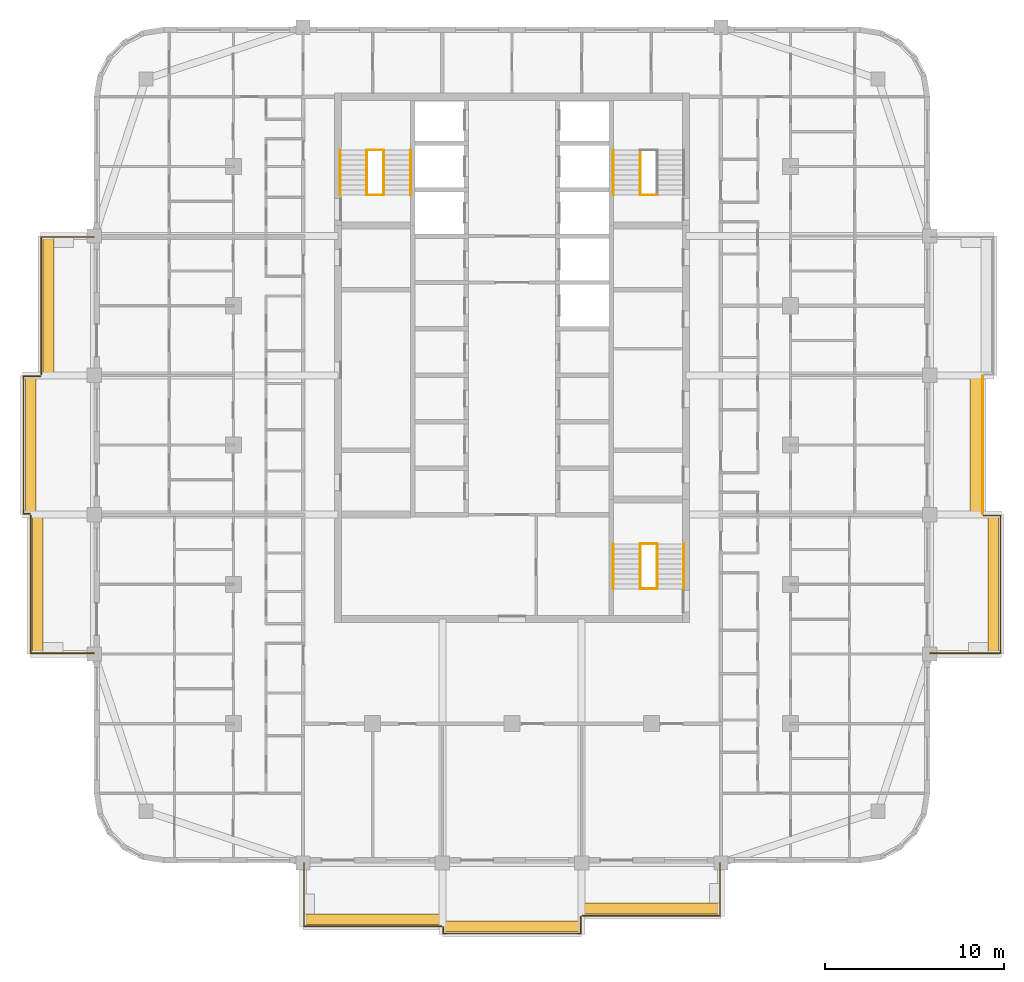
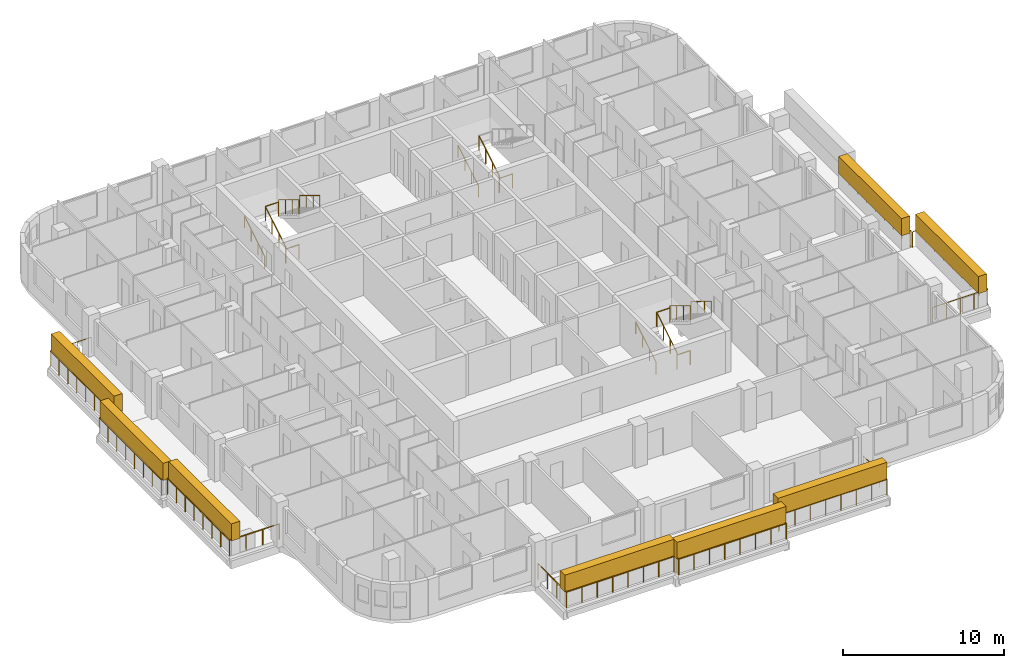
# One storey, part 15 of 16: 23 railings, 8 coverings, 3 elements without a shape of their own.
"""IFC4 building model written with IfcOpenShell, lengths in metres."""

from ifc_helpers import new_model, si_unit, direction, frame, origin, origin_2d, place, context, subcontext, project, spatial, rectangle, circle, extrude, material, layer, layer_set, type_object, element, aggregate, save


model = new_model("IFC4")

# Units and contexts
model_context = context("Model", 3, precision=1e-05, world=origin(), true_north=direction((0.0, 1.0)))
body_context = subcontext(model_context, "Body", "Model", "MODEL_VIEW")
ifc_project = project(units=[si_unit("LENGTHUNIT", "METRE"), si_unit("AREAUNIT", "SQUARE_METRE"), si_unit("VOLUMEUNIT", "CUBIC_METRE"), si_unit("PLANEANGLEUNIT", "RADIAN"), si_unit("MASSUNIT", "GRAM", prefix="KILO")], contexts=[model_context])

# Site, building, storey
site_placement = place(None, origin())
site = spatial("IfcSite", under=ifc_project, at=site_placement, CompositionType="ELEMENT")
building_placement = place(site_placement, origin())
building = spatial("IfcBuilding", under=site, at=building_placement, Name="Ludao Terraces", CompositionType="ELEMENT")
storey_placement = place(building_placement, frame((0.0, 0.0, 204.10009765625)))
storey = spatial("IfcBuildingStorey", under=building, at=storey_placement, Name="L55", CompositionType="ELEMENT", Elevation=204.10009765625)

# Railings
ifc_material_1 = material(Name="Stainless steel 304", Category="steel")
railing_type_1 = type_object("IfcRailingType", Name="ENV Balcony glass guard 1200", PredefinedType="GUARDRAIL", material=ifc_material_1)
railing_1_placement = place(storey_placement, frame((73.35009765625, 41.60009765625, 0.0)))
element("IfcRailing", 1, at=railing_1_placement, inside=storey, type_object=railing_type_1, Name="Balcony guard L55 S1", PredefinedType="GUARDRAIL", context=body_context, shape_type="SweptSolid", body=[
    extrude(circle(Radius=0.02392578125, at=origin_2d()), frame((0.0, 0.0, 1.17578125), z_axis=(0.0, -1.0, 0.0), x_axis=(1.0, 0.0, 0.0)), (0.0, 0.0, 1.0), 3.550048828125),
    extrude(circle(Radius=0.02392578125, at=origin_2d()), frame((0.0, -3.550048828125, 1.17578125), z_axis=(1.0, 0.0, 0.0), x_axis=(0.0, 1.0, 0.0)), (0.0, 0.0, 1.0), 7.699951171875),
    extrude(circle(Radius=0.02099609375, at=origin_2d()), origin(), (0.0, 0.0, 1.0), 1.15185546875),
    extrude(circle(Radius=0.02099609375, at=origin_2d()), frame((0.0, -1.183349609375, 0.0)), (0.0, 0.0, 1.0), 1.15185546875),
    extrude(circle(Radius=0.02099609375, at=origin_2d()), frame((0.0, -2.36669921875, 0.0)), (0.0, 0.0, 1.0), 1.15185546875),
    extrude(circle(Radius=0.02099609375, at=origin_2d()), frame((0.0, -3.550048828125, 0.0)), (0.0, 0.0, 1.0), 1.15185546875),
    extrude(circle(Radius=0.02099609375, at=origin_2d()), frame((1.10009765625, -3.550048828125, 0.0)), (0.0, 0.0, 1.0), 1.15185546875),
    extrude(circle(Radius=0.02099609375, at=origin_2d()), frame((2.199951171875, -3.550048828125, 0.0)), (0.0, 0.0, 1.0), 1.15185546875),
    extrude(circle(Radius=0.02099609375, at=origin_2d()), frame((3.300048828125, -3.550048828125, 0.0)), (0.0, 0.0, 1.0), 1.15185546875),
    extrude(circle(Radius=0.02099609375, at=origin_2d()), frame((4.39990234375, -3.550048828125, 0.0)), (0.0, 0.0, 1.0), 1.15185546875),
    extrude(circle(Radius=0.02099609375, at=origin_2d()), frame((5.5, -3.550048828125, 0.0)), (0.0, 0.0, 1.0), 1.15185546875),
    extrude(circle(Radius=0.02099609375, at=origin_2d()), frame((6.599853515625, -3.550048828125, 0.0)), (0.0, 0.0, 1.0), 1.15185546875),
    extrude(circle(Radius=0.02099609375, at=origin_2d()), frame((7.699951171875, -3.550048828125, 0.0)), (0.0, 0.0, 1.0), 1.15185546875),
])
railing_2_placement = place(storey_placement, frame((81.14990234375, 38.0, 0.0)))
element("IfcRailing", 2, at=railing_2_placement, inside=storey, type_object=railing_type_1, Name="Balcony guard L55 S2", PredefinedType="GUARDRAIL", context=body_context, shape_type="SweptSolid", body=[
    extrude(circle(Radius=0.02392578125, at=origin_2d()), frame((0.0, 0.0, 1.17578125), z_axis=(0.0, -1.0, 0.0), x_axis=(1.0, 0.0, 0.0)), (0.0, 0.0, 1.0), 0.35009765625),
    extrude(circle(Radius=0.02392578125, at=origin_2d()), frame((0.0, -0.35009765625, 1.17578125), z_axis=(1.0, 0.0, 0.0), x_axis=(0.0, 1.0, 0.0)), (0.0, 0.0, 1.0), 7.7001953125),
    extrude(circle(Radius=0.02392578125, at=origin_2d()), frame((7.7001953125, -0.35009765625, 1.17578125), z_axis=(0.0, 1.0, 0.0), x_axis=(-1.0, 0.0, 0.0)), (0.0, 0.0, 1.0), 0.9501953125),
    extrude(circle(Radius=0.02099609375, at=origin_2d()), origin(), (0.0, 0.0, 1.0), 1.15185546875),
    extrude(circle(Radius=0.02099609375, at=origin_2d()), frame((0.0, -0.35009765625, 0.0)), (0.0, 0.0, 1.0), 1.15185546875),
    extrude(circle(Radius=0.02099609375, at=origin_2d()), frame((1.10009765625, -0.35009765625, 0.0)), (0.0, 0.0, 1.0), 1.15185546875),
    extrude(circle(Radius=0.02099609375, at=origin_2d()), frame((2.199951171875, -0.35009765625, 0.0)), (0.0, 0.0, 1.0), 1.15185546875),
    extrude(circle(Radius=0.02099609375, at=origin_2d()), frame((3.300048828125, -0.35009765625, 0.0)), (0.0, 0.0, 1.0), 1.15185546875),
    extrude(circle(Radius=0.02099609375, at=origin_2d()), frame((4.400146484375, -0.35009765625, 0.0)), (0.0, 0.0, 1.0), 1.15185546875),
    extrude(circle(Radius=0.02099609375, at=origin_2d()), frame((5.500244140625, -0.35009765625, 0.0)), (0.0, 0.0, 1.0), 1.15185546875),
    extrude(circle(Radius=0.02099609375, at=origin_2d()), frame((6.60009765625, -0.35009765625, 0.0)), (0.0, 0.0, 1.0), 1.15185546875),
    extrude(circle(Radius=0.02099609375, at=origin_2d()), frame((7.7001953125, -0.35009765625, 0.0)), (0.0, 0.0, 1.0), 1.15185546875),
    extrude(circle(Radius=0.02099609375, at=origin_2d()), frame((7.7001953125, 0.60009765625, 0.0)), (0.0, 0.0, 1.0), 1.15185546875),
])
railing_3_placement = place(storey_placement, frame((88.949951171875, 38.64990234375, 0.0)))
element("IfcRailing", 3, at=railing_3_placement, inside=storey, type_object=railing_type_1, Name="Balcony guard L55 S3", PredefinedType="GUARDRAIL", context=body_context, shape_type="SweptSolid", body=[
    extrude(circle(Radius=0.02392578125, at=origin_2d()), frame((0.0, 0.0, 1.17578125), z_axis=(1.0, 0.0, 0.0), x_axis=(0.0, 1.0, 0.0)), (0.0, 0.0, 1.0), 7.699951171875),
    extrude(circle(Radius=0.02392578125, at=origin_2d()), frame((7.699951171875, 0.0, 1.17578125), z_axis=(0.0, 1.0, 0.0), x_axis=(-1.0, 0.0, 0.0)), (0.0, 0.0, 1.0), 2.9501953125),
    extrude(circle(Radius=0.02099609375, at=origin_2d()), origin(), (0.0, 0.0, 1.0), 1.15185546875),
    extrude(circle(Radius=0.02099609375, at=origin_2d()), frame((1.10009765625, 0.0, 0.0)), (0.0, 0.0, 1.0), 1.15185546875),
    extrude(circle(Radius=0.02099609375, at=origin_2d()), frame((2.199951171875, 0.0, 0.0)), (0.0, 0.0, 1.0), 1.15185546875),
    extrude(circle(Radius=0.02099609375, at=origin_2d()), frame((3.300048828125, 0.0, 0.0)), (0.0, 0.0, 1.0), 1.15185546875),
    extrude(circle(Radius=0.02099609375, at=origin_2d()), frame((4.39990234375, 0.0, 0.0)), (0.0, 0.0, 1.0), 1.15185546875),
    extrude(circle(Radius=0.02099609375, at=origin_2d()), frame((5.5, 0.0, 0.0)), (0.0, 0.0, 1.0), 1.15185546875),
    extrude(circle(Radius=0.02099609375, at=origin_2d()), frame((6.599853515625, 0.0, 0.0)), (0.0, 0.0, 1.0), 1.15185546875),
    extrude(circle(Radius=0.02099609375, at=origin_2d()), frame((7.699951171875, 0.0, 0.0)), (0.0, 0.0, 1.0), 1.15185546875),
    extrude(circle(Radius=0.02099609375, at=origin_2d()), frame((7.699951171875, 0.9833984375, 0.0)), (0.0, 0.0, 1.0), 1.15185546875),
    extrude(circle(Radius=0.02099609375, at=origin_2d()), frame((7.699951171875, 1.966796875, 0.0)), (0.0, 0.0, 1.0), 1.15185546875),
    extrude(circle(Radius=0.02099609375, at=origin_2d()), frame((7.699951171875, 2.9501953125, 0.0)), (0.0, 0.0, 1.0), 1.15185546875),
])
railing_4_placement = place(storey_placement, frame((108.39990234375, 53.35009765625, 0.0)))
element("IfcRailing", 4, at=railing_4_placement, inside=storey, type_object=railing_type_1, Name="Balcony guard L55 E1", PredefinedType="GUARDRAIL", context=body_context, shape_type="SweptSolid", body=[
    extrude(circle(Radius=0.02392578125, at=origin_2d()), frame((0.0, 0.0, 1.17578125), z_axis=(1.0, 0.0, 0.0), x_axis=(0.0, 1.0, 0.0)), (0.0, 0.0, 1.0), 3.9501953125),
    extrude(circle(Radius=0.02392578125, at=origin_2d()), frame((3.9501953125, 0.0, 1.17578125), z_axis=(0.0, 1.0, 0.0), x_axis=(-1.0, 0.0, 0.0)), (0.0, 0.0, 1.0), 7.699951171875),
    extrude(circle(Radius=0.02392578125, at=origin_2d()), frame((3.9501953125, 7.699951171875, 1.17578125), z_axis=(-1.0, 0.0, 0.0), x_axis=(0.0, -1.0, 0.0)), (0.0, 0.0, 1.0), 0.9501953125),
    extrude(circle(Radius=0.02099609375, at=origin_2d()), origin(), (0.0, 0.0, 1.0), 1.15185546875),
    extrude(circle(Radius=0.02099609375, at=origin_2d()), frame((0.987548828125, 0.0, 0.0)), (0.0, 0.0, 1.0), 1.15185546875),
    extrude(circle(Radius=0.02099609375, at=origin_2d()), frame((1.97509765625, 0.0, 0.0)), (0.0, 0.0, 1.0), 1.15185546875),
    extrude(circle(Radius=0.02099609375, at=origin_2d()), frame((2.962646484375, 0.0, 0.0)), (0.0, 0.0, 1.0), 1.15185546875),
    extrude(circle(Radius=0.02099609375, at=origin_2d()), frame((3.9501953125, 0.0, 0.0)), (0.0, 0.0, 1.0), 1.15185546875),
    extrude(circle(Radius=0.02099609375, at=origin_2d()), frame((3.9501953125, 1.10009765625, 0.0)), (0.0, 0.0, 1.0), 1.15185546875),
    extrude(circle(Radius=0.02099609375, at=origin_2d()), frame((3.9501953125, 2.199951171875, 0.0)), (0.0, 0.0, 1.0), 1.15185546875),
    extrude(circle(Radius=0.02099609375, at=origin_2d()), frame((3.9501953125, 3.300048828125, 0.0)), (0.0, 0.0, 1.0), 1.15185546875),
    extrude(circle(Radius=0.02099609375, at=origin_2d()), frame((3.9501953125, 4.39990234375, 0.0)), (0.0, 0.0, 1.0), 1.15185546875),
    extrude(circle(Radius=0.02099609375, at=origin_2d()), frame((3.9501953125, 5.5, 0.0)), (0.0, 0.0, 1.0), 1.15185546875),
    extrude(circle(Radius=0.02099609375, at=origin_2d()), frame((3.9501953125, 6.599853515625, 0.0)), (0.0, 0.0, 1.0), 1.15185546875),
    extrude(circle(Radius=0.02099609375, at=origin_2d()), frame((3.9501953125, 7.699951171875, 0.0)), (0.0, 0.0, 1.0), 1.15185546875),
    extrude(circle(Radius=0.02099609375, at=origin_2d()), frame((3.0, 7.699951171875, 0.0)), (0.0, 0.0, 1.0), 1.15185546875),
])
railing_5_placement = place(storey_placement, frame((111.35009765625, 61.14990234375, 0.0)))
element("IfcRailing", 5, at=railing_5_placement, inside=storey, type_object=railing_type_1, Name="Balcony guard L55 E2", PredefinedType="GUARDRAIL", context=body_context, shape_type="SweptSolid", body=[
    extrude(circle(Radius=0.02392578125, at=origin_2d()), frame((0.0, 0.0, 1.17578125), z_axis=(0.0, 1.0, 0.0), x_axis=(-1.0, 0.0, 0.0)), (0.0, 0.0, 1.0), 7.7001953125),
    extrude(circle(Radius=0.02099609375, at=origin_2d()), origin(), (0.0, 0.0, 1.0), 1.15185546875),
    extrude(circle(Radius=0.02099609375, at=origin_2d()), frame((0.0, 1.10009765625, 0.0)), (0.0, 0.0, 1.0), 1.15185546875),
    extrude(circle(Radius=0.02099609375, at=origin_2d()), frame((0.0, 2.199951171875, 0.0)), (0.0, 0.0, 1.0), 1.15185546875),
    extrude(circle(Radius=0.02099609375, at=origin_2d()), frame((0.0, 3.300048828125, 0.0)), (0.0, 0.0, 1.0), 1.15185546875),
    extrude(circle(Radius=0.02099609375, at=origin_2d()), frame((0.0, 4.400146484375, 0.0)), (0.0, 0.0, 1.0), 1.15185546875),
    extrude(circle(Radius=0.02099609375, at=origin_2d()), frame((0.0, 5.500244140625, 0.0)), (0.0, 0.0, 1.0), 1.15185546875),
    extrude(circle(Radius=0.02099609375, at=origin_2d()), frame((0.0, 6.60009765625, 0.0)), (0.0, 0.0, 1.0), 1.15185546875),
    extrude(circle(Radius=0.02099609375, at=origin_2d()), frame((0.0, 7.7001953125, 0.0)), (0.0, 0.0, 1.0), 1.15185546875),
])
railing_6_placement = place(storey_placement, frame((61.60009765625, 53.35009765625, 0.0)))
element("IfcRailing", 6, at=railing_6_placement, inside=storey, type_object=railing_type_1, Name="Balcony guard L55 W1", PredefinedType="GUARDRAIL", context=body_context, shape_type="SweptSolid", body=[
    extrude(circle(Radius=0.02392578125, at=origin_2d()), frame((0.0, 0.0, 1.17578125), z_axis=(-1.0, 0.0, 0.0), x_axis=(0.0, -1.0, 0.0)), (0.0, 0.0, 1.0), 3.550048828125),
    extrude(circle(Radius=0.02392578125, at=origin_2d()), frame((-3.550048828125, 0.0, 1.17578125), z_axis=(0.0, 1.0, 0.0), x_axis=(-1.0, 0.0, 0.0)), (0.0, 0.0, 1.0), 7.699951171875),
    extrude(circle(Radius=0.02099609375, at=origin_2d()), origin(), (0.0, 0.0, 1.0), 1.15185546875),
    extrude(circle(Radius=0.02099609375, at=origin_2d()), frame((-1.183349609375, 0.0, 0.0)), (0.0, 0.0, 1.0), 1.15185546875),
    extrude(circle(Radius=0.02099609375, at=origin_2d()), frame((-2.36669921875, 0.0, 0.0)), (0.0, 0.0, 1.0), 1.15185546875),
    extrude(circle(Radius=0.02099609375, at=origin_2d()), frame((-3.550048828125, 0.0, 0.0)), (0.0, 0.0, 1.0), 1.15185546875),
    extrude(circle(Radius=0.02099609375, at=origin_2d()), frame((-3.550048828125, 1.10009765625, 0.0)), (0.0, 0.0, 1.0), 1.15185546875),
    extrude(circle(Radius=0.02099609375, at=origin_2d()), frame((-3.550048828125, 2.199951171875, 0.0)), (0.0, 0.0, 1.0), 1.15185546875),
    extrude(circle(Radius=0.02099609375, at=origin_2d()), frame((-3.550048828125, 3.300048828125, 0.0)), (0.0, 0.0, 1.0), 1.15185546875),
    extrude(circle(Radius=0.02099609375, at=origin_2d()), frame((-3.550048828125, 4.39990234375, 0.0)), (0.0, 0.0, 1.0), 1.15185546875),
    extrude(circle(Radius=0.02099609375, at=origin_2d()), frame((-3.550048828125, 5.5, 0.0)), (0.0, 0.0, 1.0), 1.15185546875),
    extrude(circle(Radius=0.02099609375, at=origin_2d()), frame((-3.550048828125, 6.599853515625, 0.0)), (0.0, 0.0, 1.0), 1.15185546875),
    extrude(circle(Radius=0.02099609375, at=origin_2d()), frame((-3.550048828125, 7.699951171875, 0.0)), (0.0, 0.0, 1.0), 1.15185546875),
])
railing_7_placement = place(storey_placement, frame((58.0, 61.14990234375, 0.0)))
element("IfcRailing", 7, at=railing_7_placement, inside=storey, type_object=railing_type_1, Name="Balcony guard L55 W2", PredefinedType="GUARDRAIL", context=body_context, shape_type="SweptSolid", body=[
    extrude(circle(Radius=0.02392578125, at=origin_2d()), frame((0.0, 0.0, 1.17578125), z_axis=(-1.0, 0.0, 0.0), x_axis=(0.0, -1.0, 0.0)), (0.0, 0.0, 1.0), 0.35009765625),
    extrude(circle(Radius=0.02392578125, at=origin_2d()), frame((-0.35009765625, 0.0, 1.17578125), z_axis=(0.0, 1.0, 0.0), x_axis=(-1.0, 0.0, 0.0)), (0.0, 0.0, 1.0), 7.7001953125),
    extrude(circle(Radius=0.02392578125, at=origin_2d()), frame((-0.35009765625, 7.7001953125, 1.17578125), z_axis=(1.0, 0.0, 0.0), x_axis=(0.0, 1.0, 0.0)), (0.0, 0.0, 1.0), 0.9501953125),
    extrude(circle(Radius=0.02099609375, at=origin_2d()), origin(), (0.0, 0.0, 1.0), 1.15185546875),
    extrude(circle(Radius=0.02099609375, at=origin_2d()), frame((-0.35009765625, 0.0, 0.0)), (0.0, 0.0, 1.0), 1.15185546875),
    extrude(circle(Radius=0.02099609375, at=origin_2d()), frame((-0.35009765625, 1.10009765625, 0.0)), (0.0, 0.0, 1.0), 1.15185546875),
    extrude(circle(Radius=0.02099609375, at=origin_2d()), frame((-0.35009765625, 2.199951171875, 0.0)), (0.0, 0.0, 1.0), 1.15185546875),
    extrude(circle(Radius=0.02099609375, at=origin_2d()), frame((-0.35009765625, 3.300048828125, 0.0)), (0.0, 0.0, 1.0), 1.15185546875),
    extrude(circle(Radius=0.02099609375, at=origin_2d()), frame((-0.35009765625, 4.400146484375, 0.0)), (0.0, 0.0, 1.0), 1.15185546875),
    extrude(circle(Radius=0.02099609375, at=origin_2d()), frame((-0.35009765625, 5.500244140625, 0.0)), (0.0, 0.0, 1.0), 1.15185546875),
    extrude(circle(Radius=0.02099609375, at=origin_2d()), frame((-0.35009765625, 6.60009765625, 0.0)), (0.0, 0.0, 1.0), 1.15185546875),
    extrude(circle(Radius=0.02099609375, at=origin_2d()), frame((-0.35009765625, 7.7001953125, 0.0)), (0.0, 0.0, 1.0), 1.15185546875),
    extrude(circle(Radius=0.02099609375, at=origin_2d()), frame((0.60009765625, 7.7001953125, 0.0)), (0.0, 0.0, 1.0), 1.15185546875),
])
railing_8_placement = place(storey_placement, frame((58.64990234375, 68.949951171875, 0.0)))
element("IfcRailing", 8, at=railing_8_placement, inside=storey, type_object=railing_type_1, Name="Balcony guard L55 W3", PredefinedType="GUARDRAIL", context=body_context, shape_type="SweptSolid", body=[
    extrude(circle(Radius=0.02392578125, at=origin_2d()), frame((0.0, 0.0, 1.17578125), z_axis=(0.0, 1.0, 0.0), x_axis=(-1.0, 0.0, 0.0)), (0.0, 0.0, 1.0), 7.699951171875),
    extrude(circle(Radius=0.02392578125, at=origin_2d()), frame((0.0, 7.699951171875, 1.17578125), z_axis=(1.0, 0.0, 0.0), x_axis=(0.0, 1.0, 0.0)), (0.0, 0.0, 1.0), 2.9501953125),
    extrude(circle(Radius=0.02099609375, at=origin_2d()), origin(), (0.0, 0.0, 1.0), 1.15185546875),
    extrude(circle(Radius=0.02099609375, at=origin_2d()), frame((0.0, 1.10009765625, 0.0)), (0.0, 0.0, 1.0), 1.15185546875),
    extrude(circle(Radius=0.02099609375, at=origin_2d()), frame((0.0, 2.199951171875, 0.0)), (0.0, 0.0, 1.0), 1.15185546875),
    extrude(circle(Radius=0.02099609375, at=origin_2d()), frame((0.0, 3.300048828125, 0.0)), (0.0, 0.0, 1.0), 1.15185546875),
    extrude(circle(Radius=0.02099609375, at=origin_2d()), frame((0.0, 4.39990234375, 0.0)), (0.0, 0.0, 1.0), 1.15185546875),
    extrude(circle(Radius=0.02099609375, at=origin_2d()), frame((0.0, 5.5, 0.0)), (0.0, 0.0, 1.0), 1.15185546875),
    extrude(circle(Radius=0.02099609375, at=origin_2d()), frame((0.0, 6.599853515625, 0.0)), (0.0, 0.0, 1.0), 1.15185546875),
    extrude(circle(Radius=0.02099609375, at=origin_2d()), frame((0.0, 7.699951171875, 0.0)), (0.0, 0.0, 1.0), 1.15185546875),
    extrude(circle(Radius=0.02099609375, at=origin_2d()), frame((0.9833984375, 7.699951171875, 0.0)), (0.0, 0.0, 1.0), 1.15185546875),
    extrude(circle(Radius=0.02099609375, at=origin_2d()), frame((1.966796875, 7.699951171875, 0.0)), (0.0, 0.0, 1.0), 1.15185546875),
    extrude(circle(Radius=0.02099609375, at=origin_2d()), frame((2.9501953125, 7.699951171875, 0.0)), (0.0, 0.0, 1.0), 1.15185546875),
])

# Coverings
ifc_material_2 = material(Name="Planting")
ifc_layer = layer(ifc_material_2, 0.60009765625)
ifc_layer_set = layer_set([ifc_layer], Name="ENV Planting hedge 600x1300")
covering_type = type_object("IfcCoveringType", Name="ENV Planting hedge 600x1300", PredefinedType="USERDEFINED", material=ifc_layer_set)
for number, where, z_axis, x_axis, name in (
    (9, (77.199951171875, 38.449951171875, 1.10009765625), (0.0, 0.0, 1.0), (1.0, 0.0, 0.0), "Planting hedge L55-S1"),
    (10, (85.0, 38.050048828125, 1.10009765625), (0.0, 0.0, 1.0), (1.0, 0.0, 0.0), "Planting hedge L55-S2"),
    (11, (92.800048828125, 39.050048828125, 1.10009765625), (0.0, 0.0, 1.0), (1.0, 0.0, 0.0), "Planting hedge L55-S3"),
):
    element("IfcCovering", number, at=place(storey_placement, frame(where, z_axis=z_axis, x_axis=x_axis)), inside=storey, type_object=covering_type, Name=name, ObjectType="PLANTING", PredefinedType="USERDEFINED", context=body_context, shape_type="SweptSolid", body=[
        extrude(rectangle(XDim=7.800048828125, YDim=0.60009765625, at=origin_2d()), origin(), (0.0, 0.0, 1.0), 1.300048828125),
    ])
for number, where, z_axis, x_axis, name in (
    (12, (111.949951171875, 57.199951171875, 1.10009765625), (0.0, 0.0, 1.0), (1.0, 0.0, 0.0), "Planting hedge L55-E1"),
    (13, (110.949951171875, 65.0, 1.10009765625), (0.0, 0.0, 1.0), (1.0, 0.0, 0.0), "Planting hedge L55-E2"),
    (14, (58.449951171875, 57.199951171875, 1.10009765625), (0.0, 0.0, 1.0), (1.0, 0.0, 0.0), "Planting hedge L55-W1"),
    (15, (58.050048828125, 65.0, 1.10009765625), (0.0, 0.0, 1.0), (1.0, 0.0, 0.0), "Planting hedge L55-W2"),
    (16, (59.050048828125, 72.800048828125, 1.10009765625), (0.0, 0.0, 1.0), (1.0, 0.0, 0.0), "Planting hedge L55-W3"),
):
    element("IfcCovering", number, at=place(storey_placement, frame(where, z_axis=z_axis, x_axis=x_axis)), inside=storey, type_object=covering_type, Name=name, ObjectType="PLANTING", PredefinedType="USERDEFINED", context=body_context, shape_type="SweptSolid", body=[
        extrude(rectangle(XDim=0.60009765625, YDim=7.800048828125, at=origin_2d()), origin(), (0.0, 0.0, 1.0), 1.300048828125),
    ])

# Stair, railings
ifc_material_3 = material(Name="Concrete C40", Category="concrete")
stair_type = type_object("IfcStairType", Name="INT Stair", PredefinedType="HALF_TURN_STAIR", material=ifc_material_3)
stair_1_placement = place(storey_placement, origin())
stair_1 = element("IfcStair", 17, at=stair_1_placement, inside=storey, type_object=stair_type, Name="EXIT STAIR 1", PredefinedType="HALF_TURN_STAIR")
railing_type_2 = type_object("IfcRailingType", Name="INT Stair guard 1100", PredefinedType="GUARDRAIL", material=ifc_material_1)
railing_9_placement = place(storey_placement, frame((76.875, 79.0, 0.169921875)))
railing_9 = element("IfcRailing", 18, at=railing_9_placement, type_object=railing_type_2, Name="ST-L55-S1-R1G", PredefinedType="GUARDRAIL", context=body_context, shape_type="SweptSolid", body=[
    extrude(circle(Radius=0.02392578125, at=origin_2d()), frame((0.0, 0.0, 1.076171875), z_axis=(0.0, 0.85478489116, 0.518982456201), x_axis=(-1.0, 0.0, 0.0)), (0.0, 0.0, 1.0), 2.9482421875),
    extrude(circle(Radius=0.02099609375, at=origin_2d()), origin(), (0.0, 0.0, 1.0), 1.052001953125),
    extrude(circle(Radius=0.02099609375, at=origin_2d()), frame((0.0, 0.840087890625, 0.510009765625)), (0.0, 0.0, 1.0), 1.052001953125),
    extrude(circle(Radius=0.02099609375, at=origin_2d()), frame((0.0, 1.679931640625, 1.02001953125)), (0.0, 0.0, 1.0), 1.052001953125),
    extrude(circle(Radius=0.02099609375, at=origin_2d()), frame((0.0, 2.52001953125, 1.530029296875)), (0.0, 0.0, 1.0), 1.052001953125),
])
railing_10_placement = place(storey_placement, frame((77.824951171875, 81.52001953125, 1.869873046875)))
railing_10 = element("IfcRailing", 19, at=railing_10_placement, type_object=railing_type_2, Name="ST-L55-S1-R2G", PredefinedType="GUARDRAIL", context=body_context, shape_type="SweptSolid", body=[
    extrude(circle(Radius=0.02392578125, at=origin_2d()), frame((0.0, 0.0, 1.076171875), z_axis=(0.0, -0.85478489116, 0.518982456201), x_axis=(1.0, 0.0, 0.0)), (0.0, 0.0, 1.0), 2.9482421875),
    extrude(circle(Radius=0.02099609375, at=origin_2d()), origin(), (0.0, 0.0, 1.0), 1.052001953125),
    extrude(circle(Radius=0.02099609375, at=origin_2d()), frame((0.0, -0.840087890625, 0.510009765625)), (0.0, 0.0, 1.0), 1.052001953125),
    extrude(circle(Radius=0.02099609375, at=origin_2d()), frame((0.0, -1.679931640625, 1.02001953125)), (0.0, 0.0, 1.0), 1.052001953125),
    extrude(circle(Radius=0.02099609375, at=origin_2d()), frame((0.0, -2.52001953125, 1.530029296875)), (0.0, 0.0, 1.0), 1.052001953125),
])
railing_11_placement = place(storey_placement, frame((76.875, 81.52001953125, 1.699951171875)))
railing_11 = element("IfcRailing", 20, at=railing_11_placement, type_object=railing_type_2, Name="ST-L55-S1-E1G", PredefinedType="GUARDRAIL", context=body_context, shape_type="SweptSolid", body=[
    extrude(circle(Radius=0.02392578125, at=origin_2d()), frame((0.0, 0.0, 1.076171875), z_axis=(1.0, 0.0, 0.0), x_axis=(0.0, 1.0, 0.0)), (0.0, 0.0, 1.0), 0.949951171875),
    extrude(circle(Radius=0.02099609375, at=origin_2d()), origin(), (0.0, 0.0, 1.0), 1.052001953125),
    extrude(circle(Radius=0.02099609375, at=origin_2d()), frame((0.949951171875, 0.0, 0.0)), (0.0, 0.0, 1.0), 1.052001953125),
])
railing_12_placement = place(storey_placement, frame((76.875, 79.0, 0.0)))
railing_12 = element("IfcRailing", 21, at=railing_12_placement, type_object=railing_type_2, Name="ST-L55-S1-E2G", PredefinedType="GUARDRAIL", context=body_context, shape_type="SweptSolid", body=[
    extrude(circle(Radius=0.02392578125, at=origin_2d()), frame((0.0, 0.0, 1.076171875), z_axis=(1.0, 0.0, 0.0), x_axis=(0.0, 1.0, 0.0)), (0.0, 0.0, 1.0), 0.949951171875),
    extrude(circle(Radius=0.02099609375, at=origin_2d()), origin(), (0.0, 0.0, 1.0), 1.052001953125),
    extrude(circle(Radius=0.02099609375, at=origin_2d()), frame((0.949951171875, 0.0, 0.0)), (0.0, 0.0, 1.0), 1.052001953125),
])

stair_2_placement = place(storey_placement, origin())
stair_2 = element("IfcStair", 22, at=stair_2_placement, inside=storey, type_object=stair_type, Name="EXIT STAIR 2", PredefinedType="HALF_TURN_STAIR")
railing_13_placement = place(storey_placement, frame((92.175048828125, 79.0, 0.169921875)))
railing_13 = element("IfcRailing", 23, at=railing_13_placement, type_object=railing_type_2, Name="ST-L55-S2-R1G", PredefinedType="GUARDRAIL", context=body_context, shape_type="SweptSolid", body=[
    extrude(circle(Radius=0.02392578125, at=origin_2d()), frame((0.0, 0.0, 1.076171875), z_axis=(0.0, 0.85478489116, 0.518982456201), x_axis=(-1.0, 0.0, 0.0)), (0.0, 0.0, 1.0), 2.9482421875),
    extrude(circle(Radius=0.02099609375, at=origin_2d()), origin(), (0.0, 0.0, 1.0), 1.052001953125),
    extrude(circle(Radius=0.02099609375, at=origin_2d()), frame((0.0, 0.840087890625, 0.510009765625)), (0.0, 0.0, 1.0), 1.052001953125),
    extrude(circle(Radius=0.02099609375, at=origin_2d()), frame((0.0, 1.679931640625, 1.02001953125)), (0.0, 0.0, 1.0), 1.052001953125),
    extrude(circle(Radius=0.02099609375, at=origin_2d()), frame((0.0, 2.52001953125, 1.530029296875)), (0.0, 0.0, 1.0), 1.052001953125),
])
railing_14_placement = place(storey_placement, frame((92.175048828125, 79.0, 0.0)))
railing_14 = element("IfcRailing", 24, at=railing_14_placement, type_object=railing_type_2, Name="ST-L55-S2-E2G", PredefinedType="GUARDRAIL", context=body_context, shape_type="SweptSolid", body=[
    extrude(circle(Radius=0.02392578125, at=origin_2d()), frame((0.0, 0.0, 1.076171875), z_axis=(1.0, 0.0, 0.0), x_axis=(0.0, 1.0, 0.0)), (0.0, 0.0, 1.0), 0.949951171875),
    extrude(circle(Radius=0.02099609375, at=origin_2d()), origin(), (0.0, 0.0, 1.0), 1.052001953125),
    extrude(circle(Radius=0.02099609375, at=origin_2d()), frame((0.949951171875, 0.0, 0.0)), (0.0, 0.0, 1.0), 1.052001953125),
])

stair_3_placement = place(storey_placement, origin())
stair_3 = element("IfcStair", 25, at=stair_3_placement, inside=storey, type_object=stair_type, Name="EXIT STAIR 3", PredefinedType="HALF_TURN_STAIR")
railing_15_placement = place(storey_placement, frame((92.175048828125, 56.949951171875, 0.169921875)))
railing_15 = element("IfcRailing", 26, at=railing_15_placement, type_object=railing_type_2, Name="ST-L55-S3-R1G", PredefinedType="GUARDRAIL", context=body_context, shape_type="SweptSolid", body=[
    extrude(circle(Radius=0.02392578125, at=origin_2d()), frame((0.0, 0.0, 1.076171875), z_axis=(0.0, 0.85478489116, 0.518982456201), x_axis=(-1.0, 0.0, 0.0)), (0.0, 0.0, 1.0), 2.9482421875),
    extrude(circle(Radius=0.02099609375, at=origin_2d()), origin(), (0.0, 0.0, 1.0), 1.052001953125),
    extrude(circle(Radius=0.02099609375, at=origin_2d()), frame((0.0, 0.840087890625, 0.510009765625)), (0.0, 0.0, 1.0), 1.052001953125),
    extrude(circle(Radius=0.02099609375, at=origin_2d()), frame((0.0, 1.679931640625, 1.02001953125)), (0.0, 0.0, 1.0), 1.052001953125),
    extrude(circle(Radius=0.02099609375, at=origin_2d()), frame((0.0, 2.52001953125, 1.530029296875)), (0.0, 0.0, 1.0), 1.052001953125),
])
railing_16_placement = place(storey_placement, frame((93.125, 59.469970703125, 1.869873046875)))
railing_16 = element("IfcRailing", 27, at=railing_16_placement, type_object=railing_type_2, Name="ST-L55-S3-R2G", PredefinedType="GUARDRAIL", context=body_context, shape_type="SweptSolid", body=[
    extrude(circle(Radius=0.02392578125, at=origin_2d()), frame((0.0, 0.0, 1.076171875), z_axis=(0.0, -0.85478489116, 0.518982456201), x_axis=(1.0, 0.0, 0.0)), (0.0, 0.0, 1.0), 2.9482421875),
    extrude(circle(Radius=0.02099609375, at=origin_2d()), origin(), (0.0, 0.0, 1.0), 1.052001953125),
    extrude(circle(Radius=0.02099609375, at=origin_2d()), frame((0.0, -0.840087890625, 0.510009765625)), (0.0, 0.0, 1.0), 1.052001953125),
    extrude(circle(Radius=0.02099609375, at=origin_2d()), frame((0.0, -1.679931640625, 1.02001953125)), (0.0, 0.0, 1.0), 1.052001953125),
    extrude(circle(Radius=0.02099609375, at=origin_2d()), frame((0.0, -2.52001953125, 1.530029296875)), (0.0, 0.0, 1.0), 1.052001953125),
])
railing_17_placement = place(storey_placement, frame((92.175048828125, 59.469970703125, 1.699951171875)))
railing_17 = element("IfcRailing", 28, at=railing_17_placement, type_object=railing_type_2, Name="ST-L55-S3-E1G", PredefinedType="GUARDRAIL", context=body_context, shape_type="SweptSolid", body=[
    extrude(circle(Radius=0.02392578125, at=origin_2d()), frame((0.0, 0.0, 1.076171875), z_axis=(1.0, 0.0, 0.0), x_axis=(0.0, 1.0, 0.0)), (0.0, 0.0, 1.0), 0.949951171875),
    extrude(circle(Radius=0.02099609375, at=origin_2d()), origin(), (0.0, 0.0, 1.0), 1.052001953125),
    extrude(circle(Radius=0.02099609375, at=origin_2d()), frame((0.949951171875, 0.0, 0.0)), (0.0, 0.0, 1.0), 1.052001953125),
])
railing_18_placement = place(storey_placement, frame((92.175048828125, 56.949951171875, 0.0)))
railing_18 = element("IfcRailing", 29, at=railing_18_placement, type_object=railing_type_2, Name="ST-L55-S3-E2G", PredefinedType="GUARDRAIL", context=body_context, shape_type="SweptSolid", body=[
    extrude(circle(Radius=0.02392578125, at=origin_2d()), frame((0.0, 0.0, 1.076171875), z_axis=(1.0, 0.0, 0.0), x_axis=(0.0, 1.0, 0.0)), (0.0, 0.0, 1.0), 0.949951171875),
    extrude(circle(Radius=0.02099609375, at=origin_2d()), origin(), (0.0, 0.0, 1.0), 1.052001953125),
    extrude(circle(Radius=0.02099609375, at=origin_2d()), frame((0.949951171875, 0.0, 0.0)), (0.0, 0.0, 1.0), 1.052001953125),
])

# Railing
railing_type_3 = type_object("IfcRailingType", Name="INT Stair handrail 900", PredefinedType="HANDRAIL", material=ifc_material_1)
railing_19_placement = place(storey_placement, frame((75.375, 79.0, 0.169921875)))
railing_19 = element("IfcRailing", 30, at=railing_19_placement, type_object=railing_type_3, Name="ST-L55-S1-R1H", PredefinedType="HANDRAIL", context=body_context, shape_type="SweptSolid", body=[
    extrude(circle(Radius=0.02392578125, at=origin_2d()), frame((0.0, 0.0, 0.8759765625), z_axis=(0.0, 0.85478489116, 0.518982456201), x_axis=(-1.0, 0.0, 0.0)), (0.0, 0.0, 1.0), 2.9482421875),
    extrude(circle(Radius=0.02099609375, at=origin_2d()), origin(), (0.0, 0.0, 1.0), 0.851806640625),
    extrude(circle(Radius=0.02099609375, at=origin_2d()), frame((0.0, 0.840087890625, 0.510009765625)), (0.0, 0.0, 1.0), 0.851806640625),
    extrude(circle(Radius=0.02099609375, at=origin_2d()), frame((0.0, 1.679931640625, 1.02001953125)), (0.0, 0.0, 1.0), 0.851806640625),
    extrude(circle(Radius=0.02099609375, at=origin_2d()), frame((0.0, 2.52001953125, 1.530029296875)), (0.0, 0.0, 1.0), 0.851806640625),
])

railing_20_placement = place(storey_placement, frame((79.324951171875, 81.52001953125, 1.869873046875)))
railing_20 = element("IfcRailing", 31, at=railing_20_placement, type_object=railing_type_3, Name="ST-L55-S1-R2H", PredefinedType="HANDRAIL", context=body_context, shape_type="SweptSolid", body=[
    extrude(circle(Radius=0.02392578125, at=origin_2d()), frame((0.0, 0.0, 0.8759765625), z_axis=(0.0, -0.85478489116, 0.518982456201), x_axis=(1.0, 0.0, 0.0)), (0.0, 0.0, 1.0), 2.9482421875),
    extrude(circle(Radius=0.02099609375, at=origin_2d()), origin(), (0.0, 0.0, 1.0), 0.851806640625),
    extrude(circle(Radius=0.02099609375, at=origin_2d()), frame((0.0, -0.840087890625, 0.510009765625)), (0.0, 0.0, 1.0), 0.851806640625),
    extrude(circle(Radius=0.02099609375, at=origin_2d()), frame((0.0, -1.679931640625, 1.02001953125)), (0.0, 0.0, 1.0), 0.851806640625),
    extrude(circle(Radius=0.02099609375, at=origin_2d()), frame((0.0, -2.52001953125, 1.530029296875)), (0.0, 0.0, 1.0), 0.851806640625),
])

aggregate(stair_1, [railing_9, railing_19, railing_10, railing_20, railing_11, railing_12])

railing_21_placement = place(storey_placement, frame((90.675048828125, 79.0, 0.169921875)))
railing_21 = element("IfcRailing", 32, at=railing_21_placement, type_object=railing_type_3, Name="ST-L55-S2-R1H", PredefinedType="HANDRAIL", context=body_context, shape_type="SweptSolid", body=[
    extrude(circle(Radius=0.02392578125, at=origin_2d()), frame((0.0, 0.0, 0.8759765625), z_axis=(0.0, 0.85478489116, 0.518982456201), x_axis=(-1.0, 0.0, 0.0)), (0.0, 0.0, 1.0), 2.9482421875),
    extrude(circle(Radius=0.02099609375, at=origin_2d()), origin(), (0.0, 0.0, 1.0), 0.851806640625),
    extrude(circle(Radius=0.02099609375, at=origin_2d()), frame((0.0, 0.840087890625, 0.510009765625)), (0.0, 0.0, 1.0), 0.851806640625),
    extrude(circle(Radius=0.02099609375, at=origin_2d()), frame((0.0, 1.679931640625, 1.02001953125)), (0.0, 0.0, 1.0), 0.851806640625),
    extrude(circle(Radius=0.02099609375, at=origin_2d()), frame((0.0, 2.52001953125, 1.530029296875)), (0.0, 0.0, 1.0), 0.851806640625),
])

aggregate(stair_2, [railing_13, railing_21, railing_14])

railing_22_placement = place(storey_placement, frame((90.675048828125, 56.949951171875, 0.169921875)))
railing_22 = element("IfcRailing", 33, at=railing_22_placement, type_object=railing_type_3, Name="ST-L55-S3-R1H", PredefinedType="HANDRAIL", context=body_context, shape_type="SweptSolid", body=[
    extrude(circle(Radius=0.02392578125, at=origin_2d()), frame((0.0, 0.0, 0.8759765625), z_axis=(0.0, 0.85478489116, 0.518982456201), x_axis=(-1.0, 0.0, 0.0)), (0.0, 0.0, 1.0), 2.9482421875),
    extrude(circle(Radius=0.02099609375, at=origin_2d()), origin(), (0.0, 0.0, 1.0), 0.851806640625),
    extrude(circle(Radius=0.02099609375, at=origin_2d()), frame((0.0, 0.840087890625, 0.510009765625)), (0.0, 0.0, 1.0), 0.851806640625),
    extrude(circle(Radius=0.02099609375, at=origin_2d()), frame((0.0, 1.679931640625, 1.02001953125)), (0.0, 0.0, 1.0), 0.851806640625),
    extrude(circle(Radius=0.02099609375, at=origin_2d()), frame((0.0, 2.52001953125, 1.530029296875)), (0.0, 0.0, 1.0), 0.851806640625),
])

railing_23_placement = place(storey_placement, frame((94.625, 59.469970703125, 1.869873046875)))
railing_23 = element("IfcRailing", 34, at=railing_23_placement, type_object=railing_type_3, Name="ST-L55-S3-R2H", PredefinedType="HANDRAIL", context=body_context, shape_type="SweptSolid", body=[
    extrude(circle(Radius=0.02392578125, at=origin_2d()), frame((0.0, 0.0, 0.8759765625), z_axis=(0.0, -0.85478489116, 0.518982456201), x_axis=(1.0, 0.0, 0.0)), (0.0, 0.0, 1.0), 2.9482421875),
    extrude(circle(Radius=0.02099609375, at=origin_2d()), origin(), (0.0, 0.0, 1.0), 0.851806640625),
    extrude(circle(Radius=0.02099609375, at=origin_2d()), frame((0.0, -0.840087890625, 0.510009765625)), (0.0, 0.0, 1.0), 0.851806640625),
    extrude(circle(Radius=0.02099609375, at=origin_2d()), frame((0.0, -1.679931640625, 1.02001953125)), (0.0, 0.0, 1.0), 0.851806640625),
    extrude(circle(Radius=0.02099609375, at=origin_2d()), frame((0.0, -2.52001953125, 1.530029296875)), (0.0, 0.0, 1.0), 0.851806640625),
])

aggregate(stair_3, [railing_15, railing_22, railing_16, railing_23, railing_17, railing_18])

save(model, "model.ifc")
